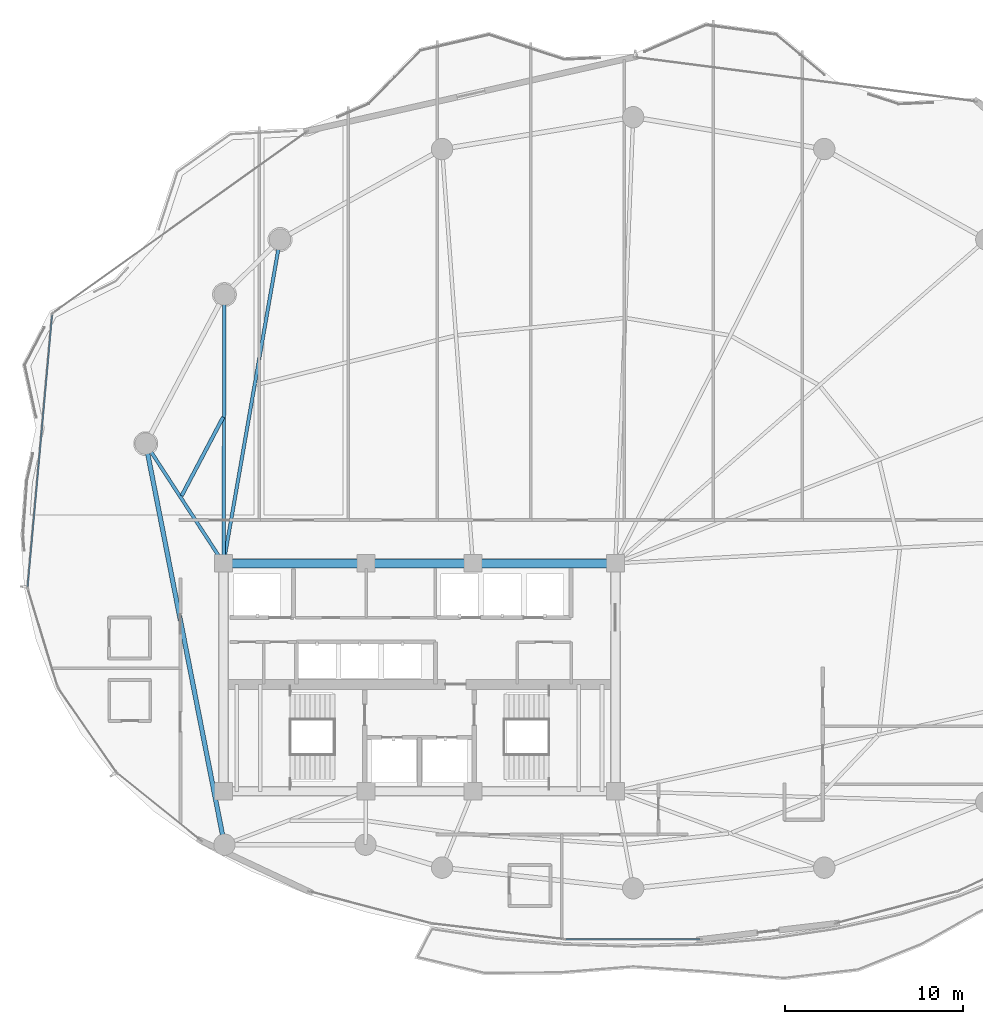
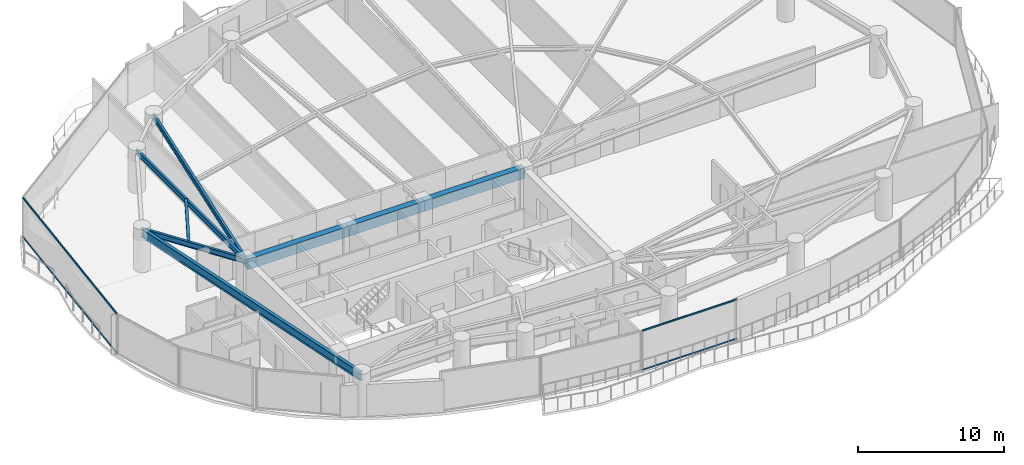
# One storey, part 9 of 33: 8 beams, 4 members, 2 elements without a shape of their own.
"""IFC4 building model written with IfcOpenShell, lengths in metres."""

from ifc_helpers import new_model, si_unit, direction, frame, origin, origin_2d, place, context, subcontext, project, spatial, rectangle, hollow_rectangle, i_section, extrude, material, layer, layer_set, material_profile, profile_set, type_object, element, aggregate, save


model = new_model("IFC4")

# Units and contexts
model_context = context("Model", 3, precision=1e-05, world=origin(), true_north=direction((0.0, 1.0)))
body_context = subcontext(model_context, "Body", "Model", "MODEL_VIEW")
ifc_project = project(units=[si_unit("LENGTHUNIT", "METRE"), si_unit("AREAUNIT", "SQUARE_METRE"), si_unit("VOLUMEUNIT", "CUBIC_METRE"), si_unit("PLANEANGLEUNIT", "RADIAN"), si_unit("MASSUNIT", "GRAM", prefix="KILO")], contexts=[model_context])

# Site, building, storey
site_placement = place(None, origin())
site = spatial("IfcSite", under=ifc_project, at=site_placement, CompositionType="ELEMENT")
building_placement = place(site_placement, origin())
building = spatial("IfcBuilding", under=site, at=building_placement, Name="Kazevale Care Tower and Concert Hall", CompositionType="ELEMENT")
storey_placement = place(building_placement, frame((0.0, 0.0, 149.39990234375)))
storey = spatial("IfcBuildingStorey", under=building, at=storey_placement, Name="L39", CompositionType="ELEMENT", Elevation=149.39990234375)

# Curtain wall, members
ifc_material_1 = material(Name="Aluminium 6063-T6 and Low-E Glass", Category="aluminium")
ifc_layer_1 = layer(ifc_material_1, 0.179931640625)
ifc_layer_set_1 = layer_set([ifc_layer_1], Name="Aluminium 6063-T6 and Low-E Glass")
curtain_wall_type_1 = type_object("IfcCurtainWallType", Name="Waist & Upper Residential Curtain Wall CW-4", PredefinedType="NOTDEFINED", material=ifc_layer_set_1)
curtain_wall_1_placement = place(storey_placement, origin())
curtain_wall_1 = element("IfcCurtainWall", 1, at=curtain_wall_1_placement, inside=storey, type_object=curtain_wall_type_1, Name="cw:L39:f13", PredefinedType="NOTDEFINED")
ifc_material_2 = material(Name="Aluminium 6063-T6", Category="aluminium")
ifc_material_profile_1 = material_profile(ifc_material_2, hollow_rectangle(XDim=0.080078125, YDim=0.139892578125, WallThickness=0.00390625, at=origin_2d()), Name="ALU80x140x4")
ifc_profile_set_1 = profile_set([ifc_material_profile_1], Name="Aluminium 6063-T6")
member_type_1 = type_object("IfcMemberType", Name="CW-4 Transom ALU80x140x4", PredefinedType="USERDEFINED", material=ifc_profile_set_1)
member_1_placement = place(storey_placement, frame((11.002197265625, 35.103759765625, 0.0400390625), z_axis=(0.089684222528, 0.995970250675, 0.0), x_axis=(-0.995970250675, 0.089684222528, 0.0)))
member_1 = element("IfcMember", 2, at=member_1_placement, type_object=member_type_1, Name="CW-4 transom 1.1", ObjectType="TRANSOM", PredefinedType="USERDEFINED", context=body_context, shape_type="SweptSolid", body=[
    extrude(hollow_rectangle(XDim=0.080078125, YDim=0.139892578125, WallThickness=0.00390625, at=origin_2d()), origin(), (0.0, 0.0, 1.0), 15.304443359375),
])
member_2_placement = place(storey_placement, frame((11.002197265625, 35.103759765625, 3.320068359375), z_axis=(0.089684222528, 0.995970250675, 0.0), x_axis=(-0.995970250675, 0.089684222528, 0.0)))
member_2 = element("IfcMember", 3, at=member_2_placement, type_object=member_type_1, Name="CW-4 transom 1.2", ObjectType="TRANSOM", PredefinedType="USERDEFINED", context=body_context, shape_type="SweptSolid", body=[
    extrude(hollow_rectangle(XDim=0.080078125, YDim=0.139892578125, WallThickness=0.00390625, at=origin_2d()), origin(), (0.0, 0.0, 1.0), 15.304443359375),
])
aggregate(curtain_wall_1, [member_1, member_2])

ifc_layer_2 = layer(ifc_material_1, 0.179931640625)
ifc_layer_set_2 = layer_set([ifc_layer_2], Name="Aluminium 6063-T6 and Low-E Glass")
curtain_wall_type_2 = type_object("IfcCurtainWallType", Name="Sheltered Concave Balcony Curtain Wall CW-5", PredefinedType="NOTDEFINED", material=ifc_layer_set_2)
curtain_wall_2_placement = place(storey_placement, origin())
curtain_wall_2 = element("IfcCurtainWall", 4, at=curtain_wall_2_placement, inside=storey, type_object=curtain_wall_type_2, Name="cw:L39:f06", PredefinedType="NOTDEFINED")
ifc_material_profile_2 = material_profile(ifc_material_2, hollow_rectangle(XDim=0.074951171875, YDim=0.1201171875, WallThickness=0.00390625, at=origin_2d()), Name="ALU75x120x4")
ifc_profile_set_2 = profile_set([ifc_material_profile_2], Name="Aluminium 6063-T6")
member_type_2 = type_object("IfcMemberType", Name="CW-5 Transom ALU75x120x4", PredefinedType="USERDEFINED", material=ifc_profile_set_2)
member_3_placement = place(storey_placement, frame((48.76611328125, 15.2890625, 0.03759765625), z_axis=(-1.0, 0.0, 0.0), x_axis=(0.0, -1.0, 0.0)))
member_3 = element("IfcMember", 5, at=member_3_placement, type_object=member_type_2, Name="CW-5 transom 1.1", ObjectType="TRANSOM", PredefinedType="USERDEFINED", context=body_context, shape_type="SweptSolid", body=[
    extrude(hollow_rectangle(XDim=0.074951171875, YDim=0.1201171875, WallThickness=0.00390625, at=origin_2d()), origin(), (0.0, 0.0, 1.0), 7.5322265625),
])
member_4_placement = place(storey_placement, frame((48.76611328125, 15.2890625, 3.322509765625), z_axis=(-1.0, 0.0, 0.0), x_axis=(0.0, -1.0, 0.0)))
member_4 = element("IfcMember", 6, at=member_4_placement, type_object=member_type_2, Name="CW-5 transom 1.2", ObjectType="TRANSOM", PredefinedType="USERDEFINED", context=body_context, shape_type="SweptSolid", body=[
    extrude(hollow_rectangle(XDim=0.074951171875, YDim=0.1201171875, WallThickness=0.00390625, at=origin_2d()), origin(), (0.0, 0.0, 1.0), 7.5322265625),
])
aggregate(curtain_wall_2, [member_3, member_4])

# Beams
ifc_material_3 = material(Name="Concrete C60", Category="concrete")
ifc_material_profile_3 = material_profile(ifc_material_3, rectangle(XDim=0.5, YDim=0.85009765625, at=origin_2d()), Name="RC-B500x850")
ifc_profile_set_3 = profile_set([ifc_material_profile_3], Name="Concrete C60")
beam_type_1 = type_object("IfcBeamType", Name="Core Coupling Beam RC500x850", PredefinedType="LINTEL", material=ifc_profile_set_3)
beam_1_placement = place(storey_placement, frame((44.0, 36.39990234375, 2.93505859375), z_axis=(-1.0, 0.0, 0.0), x_axis=(0.0, -1.0, 0.0)))
element("IfcBeam", 7, at=beam_1_placement, inside=storey, type_object=beam_type_1, Name="beam:L39:coretie:5", PredefinedType="LINTEL", context=body_context, shape_type="SweptSolid", body=[
    extrude(rectangle(XDim=0.5, YDim=0.85009765625, at=origin_2d()), origin(), (0.0, 0.0, 1.0), 8.0),
])
beam_2_placement = place(storey_placement, frame((36.0, 36.39990234375, 2.93505859375), z_axis=(-1.0, 0.0, 0.0), x_axis=(0.0, -1.0, 0.0)))
element("IfcBeam", 8, at=beam_2_placement, inside=storey, type_object=beam_type_1, Name="beam:L39:coretie:6", PredefinedType="LINTEL", context=body_context, shape_type="SweptSolid", body=[
    extrude(rectangle(XDim=0.5, YDim=0.85009765625, at=origin_2d()), origin(), (0.0, 0.0, 1.0), 6.0),
])
beam_3_placement = place(storey_placement, frame((30.0, 36.39990234375, 2.93505859375), z_axis=(-1.0, 0.0, 0.0), x_axis=(0.0, -1.0, 0.0)))
element("IfcBeam", 9, at=beam_3_placement, inside=storey, type_object=beam_type_1, Name="beam:L39:coretie:7", PredefinedType="LINTEL", context=body_context, shape_type="SweptSolid", body=[
    extrude(rectangle(XDim=0.5, YDim=0.85009765625, at=origin_2d()), origin(), (0.0, 0.0, 1.0), 8.0),
])
ifc_material_4 = material(Name="Steel ASTM A572 Gr 50", Category="steel")
ifc_material_profile_4 = material_profile(ifc_material_4, i_section(OverallWidth=0.19091796875, OverallDepth=0.4599609375, WebThickness=0.010009765625, FlangeThickness=0.01611328125, at=origin_2d()), Name="W460x82")
ifc_profile_set_4 = profile_set([ifc_material_profile_4], Name="Steel ASTM A572 Gr 50")
beam_type_2 = type_object("IfcBeamType", Name="Radial Floor Beam W460x82", PredefinedType="BEAM", material=ifc_profile_set_4)
beam_4_placement = place(storey_placement, frame((22.0, 36.39990234375, 3.130126953125), z_axis=(0.171769935245, 0.985137091651, 0.0), x_axis=(-0.985137091651, 0.171769935245, 0.0)))
element("IfcBeam", 10, at=beam_4_placement, inside=storey, type_object=beam_type_2, Name="beam:L39:rad:07", PredefinedType="BEAM", context=body_context, shape_type="SweptSolid", body=[
    extrude(i_section(OverallWidth=0.19091796875, OverallDepth=0.4599609375, WebThickness=0.010009765625, FlangeThickness=0.01611328125, at=origin_2d()), origin(), (0.0, 0.0, 1.0), 18.454345703125),
])
beam_5_placement = place(storey_placement, frame((22.0, 36.39990234375, 3.130126953125), z_axis=(0.003316650851, 0.999994499898, 0.0), x_axis=(-0.999994499898, 0.003316650851, 0.0)))
element("IfcBeam", 11, at=beam_5_placement, inside=storey, type_object=beam_type_2, Name="beam:L39:rad:08", PredefinedType="BEAM", context=body_context, shape_type="SweptSolid", body=[
    extrude(i_section(OverallWidth=0.19091796875, OverallDepth=0.4599609375, WebThickness=0.010009765625, FlangeThickness=0.01611328125, at=origin_2d()), origin(), (0.0, 0.0, 1.0), 15.090087890625),
])
beam_6_placement = place(storey_placement, frame((22.0, 36.39990234375, 3.130126953125), z_axis=(-0.5451617613, 0.83833087383, 0.0), x_axis=(-0.83833087383, -0.5451617613, 0.0)))
element("IfcBeam", 12, at=beam_6_placement, inside=storey, type_object=beam_type_2, Name="beam:L39:rad:09", PredefinedType="BEAM", context=body_context, shape_type="SweptSolid", body=[
    extrude(i_section(OverallWidth=0.19091796875, OverallDepth=0.4599609375, WebThickness=0.010009765625, FlangeThickness=0.01611328125, at=origin_2d()), origin(), (0.0, 0.0, 1.0), 8.01611328125),
])
ifc_material_profile_5 = material_profile(ifc_material_4, i_section(OverallWidth=0.205078125, OverallDepth=0.35400390625, WebThickness=0.009521484375, FlangeThickness=0.016845703125, at=origin_2d()), Name="W360x79")
ifc_profile_set_5 = profile_set([ifc_material_profile_5], Name="Steel ASTM A572 Gr 50")
beam_type_3 = type_object("IfcBeamType", Name="Secondary Floor Joist W360x79", PredefinedType="JOIST", material=ifc_profile_set_5)
beam_7_placement = place(storey_placement, frame((21.97802734375, 44.60693359375, 3.18310546875), z_axis=(-0.466809583155, -0.884357853515, 0.0), x_axis=(0.884357853515, -0.466809583155, 0.0)))
element("IfcBeam", 13, at=beam_7_placement, inside=storey, type_object=beam_type_3, Name="beam:L39:joist:08", PredefinedType="JOIST", context=body_context, shape_type="SweptSolid", body=[
    extrude(i_section(OverallWidth=0.205078125, OverallDepth=0.35400390625, WebThickness=0.009521484375, FlangeThickness=0.016845703125, at=origin_2d()), origin(), (0.0, 0.0, 1.0), 4.99560546875),
])
ifc_material_profile_6 = material_profile(ifc_material_4, i_section(OverallWidth=0.256103515625, OverallDepth=0.693115234375, WebThickness=0.014404296875, FlangeThickness=0.023681640625, at=origin_2d()), Name="W690x170")
ifc_profile_set_6 = profile_set([ifc_material_profile_6], Name="Steel ASTM A572 Gr 50")
beam_type_4 = type_object("IfcBeamType", Name="Waist Ring Beam W690x170", PredefinedType="BEAM", material=ifc_profile_set_6)
beam_8_placement = place(storey_placement, frame((17.6298828125, 43.1201171875, 3.013671875), z_axis=(0.192602267784, -0.9812769061, 0.0), x_axis=(0.9812769061, 0.192602267784, 0.0)))
element("IfcBeam", 14, at=beam_8_placement, inside=storey, type_object=beam_type_4, Name="beam:L39:ring:09", PredefinedType="BEAM", context=body_context, shape_type="SweptSolid", body=[
    extrude(i_section(OverallWidth=0.256103515625, OverallDepth=0.693115234375, WebThickness=0.014404296875, FlangeThickness=0.023681640625, at=origin_2d()), origin(), (0.0, 0.0, 1.0), 22.94970703125),
])

save(model, "model.ifc")
